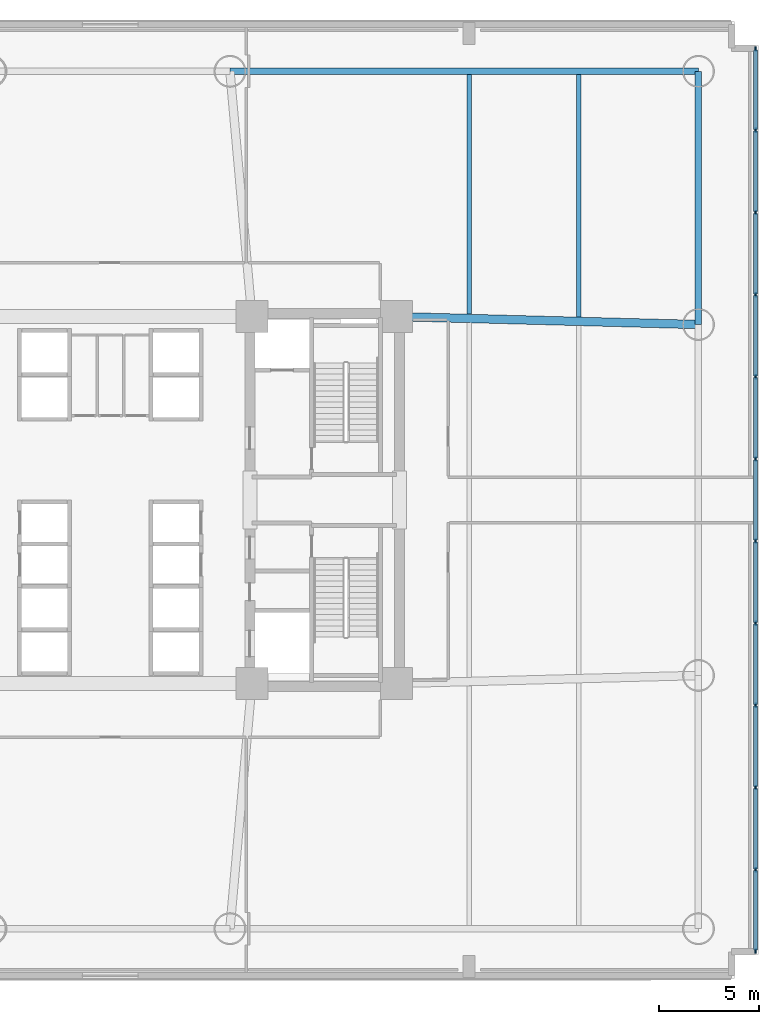
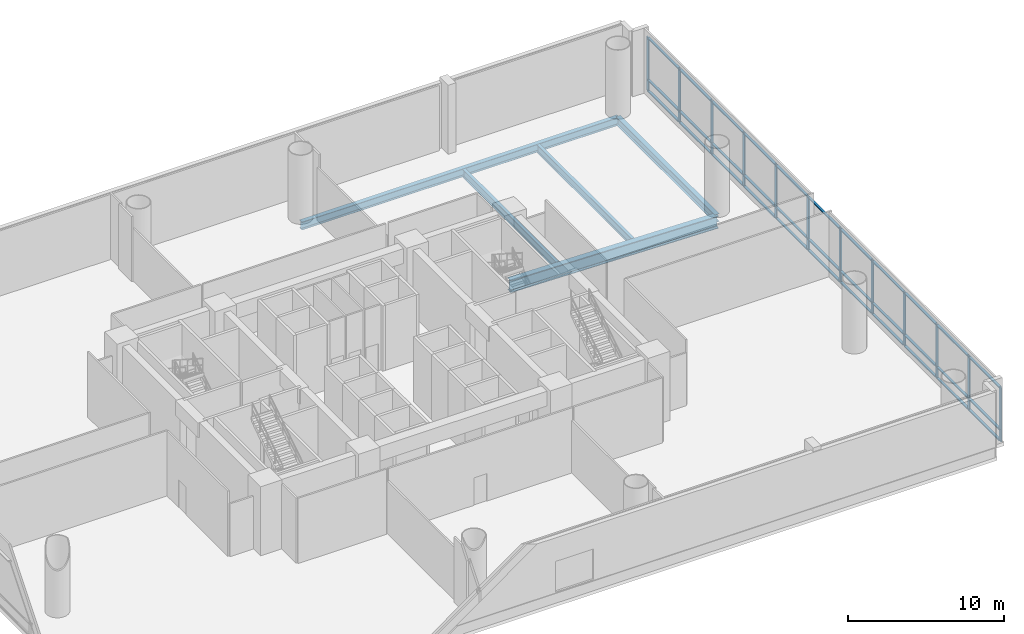
# One storey, part 5 of 15: 45 members, 5 beams, 1 element without a shape of its own.
"""IFC4 building model written with IfcOpenShell, lengths in metres."""

from ifc_helpers import new_model, si_unit, direction, frame, origin, origin_2d, place, context, subcontext, project, spatial, rectangle, i_section, extrude, source, transform, mapped, material, layer, layer_set, material_profile, profile_set, type_object, element, aggregate, save


model = new_model("IFC4")

# Units and contexts
model_context = context("Model", 3, precision=1e-05, world=origin(), true_north=direction((0.0, 1.0)))
body_context = subcontext(model_context, "Body", "Model", "MODEL_VIEW")
ifc_project = project(units=[si_unit("LENGTHUNIT", "METRE"), si_unit("AREAUNIT", "SQUARE_METRE"), si_unit("VOLUMEUNIT", "CUBIC_METRE"), si_unit("PLANEANGLEUNIT", "RADIAN"), si_unit("MASSUNIT", "GRAM", prefix="KILO")], contexts=[model_context])

# Site, building, storey
site_placement = place(None, origin())
site = spatial("IfcSite", under=ifc_project, at=site_placement, CompositionType="ELEMENT")
building_placement = place(site_placement, origin())
building = spatial("IfcBuilding", under=site, at=building_placement, Name="Zahravan Cultural Tower", CompositionType="ELEMENT")
storey_placement = place(building_placement, frame((0.0, 0.0, 7.199951171875)))
storey = spatial("IfcBuildingStorey", under=building, at=storey_placement, Name="L01", CompositionType="ELEMENT", Elevation=7.199951171875)

# Beams
ifc_material_1 = material(Name="Steel ASTM A992 Grade 50", Category="steel")
ifc_material_profile_1 = material_profile(ifc_material_1, i_section(OverallWidth=0.326904296875, OverallDepth=0.6220703125, WebThickness=0.015380859375, FlangeThickness=0.0244140625, FilletRadius=0.014892578125, at=origin_2d()), Name="W24X131")
ifc_profile_set_1 = profile_set([ifc_material_profile_1], Name="Steel ASTM A992 Grade 50")
beam_type_1 = type_object("IfcBeamType", Name="BM-SP-W24X131", PredefinedType="SPANDREL", material=ifc_profile_set_1)
shared_shape_1 = source(origin(), body_context, "Body", "SweptSolid", [
    extrude(i_section(OverallWidth=0.326904296875, OverallDepth=0.6220703125, WebThickness=0.015380859375, FlangeThickness=0.0244140625, FilletRadius=0.014892578125, at=origin_2d()), origin(), (0.0, 0.0, 1.0), 23.5),
])
beam_1_placement = place(storey_placement, frame((42.0, 48.5, -0.61083984375), z_axis=(1.0, 0.0, 0.0), x_axis=(0.0, 1.0, 0.0)))
element("IfcBeam", 1, at=beam_1_placement, inside=storey, type_object=beam_type_1, Name="L01 Beam BG-L01-12", PredefinedType="SPANDREL", context=body_context, shape_type="MappedRepresentation", body=[
    mapped(shared_shape_1, transform((0.0, 0.0, 0.0), x_axis=(1.0, 0.0, 0.0), y_axis=(0.0, 1.0, 0.0), z_axis=(0.0, 0.0, 1.0), scale=1.0)),
])
shared_shape_2 = source(origin(), body_context, "Body", "SweptSolid", [
    extrude(i_section(OverallWidth=0.326904296875, OverallDepth=0.6220703125, WebThickness=0.015380859375, FlangeThickness=0.0244140625, FilletRadius=0.014892578125, at=origin_2d()), origin(), (0.0, 0.0, 1.0), 12.699951171875),
])
beam_2_placement = place(storey_placement, frame((65.5, 35.800048828125, -0.61083984375), z_axis=(0.0, 1.0, 0.0), x_axis=(-1.0, 0.0, 0.0)))
element("IfcBeam", 2, at=beam_2_placement, inside=storey, type_object=beam_type_1, Name="L01 Beam BG-L01-18", PredefinedType="SPANDREL", context=body_context, shape_type="MappedRepresentation", body=[
    mapped(shared_shape_2, transform((0.0, 0.0, 0.0), x_axis=(1.0, 0.0, 0.0), y_axis=(0.0, 1.0, 0.0), z_axis=(0.0, 0.0, 1.0), scale=1.0)),
])
ifc_material_profile_2 = material_profile(ifc_material_1, i_section(OverallWidth=0.425048828125, OverallDepth=0.965087890625, WebThickness=0.0283203125, FlangeThickness=0.051025390625, FilletRadius=0.02392578125, at=origin_2d()), Name="W36X361")
ifc_profile_set_2 = profile_set([ifc_material_profile_2], Name="Steel ASTM A992 Grade 50")
beam_type_2 = type_object("IfcBeamType", Name="BM-G-W36X361", PredefinedType="BEAM", material=ifc_profile_set_2)
shared_shape_3 = source(origin(), body_context, "Body", "SweptSolid", [
    extrude(i_section(OverallWidth=0.425048828125, OverallDepth=0.965087890625, WebThickness=0.0283203125, FlangeThickness=0.051025390625, FilletRadius=0.02392578125, at=origin_2d()), origin(), (0.0, 0.0, 1.0), 15.1552734375),
])
beam_3_placement = place(storey_placement, frame((65.5, 35.800048828125, -0.782470703125), z_axis=(-0.999651797923, 0.026387173188, 0.0), x_axis=(-0.026387173188, -0.999651797923, 0.0)))
element("IfcBeam", 3, at=beam_3_placement, inside=storey, type_object=beam_type_2, Name="L01 Beam BG-L01-22", PredefinedType="BEAM", context=body_context, shape_type="MappedRepresentation", body=[
    mapped(shared_shape_3, transform((0.0, 0.0, 0.0), x_axis=(1.0, 0.0, 0.0), y_axis=(0.0, 1.0, 0.0), z_axis=(0.0, 0.0, 1.0), scale=1.0)),
])
ifc_material_profile_3 = material_profile(ifc_material_1, i_section(OverallWidth=0.22998046875, OverallDepth=0.616943359375, WebThickness=0.01318359375, FlangeThickness=0.022216796875, FilletRadius=0.014892578125, at=origin_2d()), Name="W24X94")
ifc_profile_set_3 = profile_set([ifc_material_profile_3], Name="Steel ASTM A992 Grade 50")
beam_type_3 = type_object("IfcBeamType", Name="BM-J-W24X94", PredefinedType="JOIST", material=ifc_profile_set_3)
shared_shape_4 = source(origin(), body_context, "Body", "SweptSolid", [
    extrude(i_section(OverallWidth=0.22998046875, OverallDepth=0.616943359375, WebThickness=0.01318359375, FlangeThickness=0.022216796875, FilletRadius=0.014892578125, at=origin_2d()), origin(), (0.0, 0.0, 1.0), 12.16357421875),
])
beam_4_placement = place(storey_placement, frame((59.5, 36.17138671875, -0.6083984375), z_axis=(0.0, 1.0, 0.0), x_axis=(-1.0, 0.0, 0.0)))
element("IfcBeam", 4, at=beam_4_placement, inside=storey, type_object=beam_type_3, Name="L01 Beam BJ-L01-38", PredefinedType="JOIST", context=body_context, shape_type="MappedRepresentation", body=[
    mapped(shared_shape_4, transform((0.0, 0.0, 0.0), x_axis=(1.0, 0.0, 0.0), y_axis=(0.0, 1.0, 0.0), z_axis=(0.0, 0.0, 1.0), scale=1.0)),
])
shared_shape_5 = source(origin(), body_context, "Body", "SweptSolid", [
    extrude(i_section(OverallWidth=0.22998046875, OverallDepth=0.616943359375, WebThickness=0.01318359375, FlangeThickness=0.022216796875, FilletRadius=0.014892578125, at=origin_2d()), origin(), (0.0, 0.0, 1.0), 12.018310546875),
])
beam_5_placement = place(storey_placement, frame((54.0, 36.316650390625, -0.6083984375), z_axis=(0.0, 1.0, 0.0), x_axis=(-1.0, 0.0, 0.0)))
element("IfcBeam", 5, at=beam_5_placement, inside=storey, type_object=beam_type_3, Name="L01 Beam BJ-L01-35", PredefinedType="JOIST", context=body_context, shape_type="MappedRepresentation", body=[
    mapped(shared_shape_5, transform((0.0, 0.0, 0.0), x_axis=(1.0, 0.0, 0.0), y_axis=(0.0, 1.0, 0.0), z_axis=(0.0, 0.0, 1.0), scale=1.0)),
])

# Curtain wall, members
ifc_material_2 = material(Name="Anodised bronze-aluminium mullion", Category="aluminium")
ifc_layer = layer(ifc_material_2, 0.239990234375)
ifc_layer_set = layer_set([ifc_layer], Name="Anodised bronze-aluminium mullion")
curtain_wall_type = type_object("IfcCurtainWallType", Name="CW-SYS-5", PredefinedType="USERDEFINED", material=ifc_layer_set)
curtain_wall_placement = place(storey_placement, origin())
curtain_wall = element("IfcCurtainWall", 6, at=curtain_wall_placement, inside=storey, type_object=curtain_wall_type, Name="L01 Recessed Curtain Wall CW-5.1", ObjectType="RECESSED GLAZING", PredefinedType="USERDEFINED")
ifc_material_profile_4 = material_profile(ifc_material_2, rectangle(XDim=0.0849609375, YDim=0.239990234375, at=origin_2d()), Name="AL-M85X240")
ifc_profile_set_4 = profile_set([ifc_material_profile_4], Name="Anodised bronze-aluminium mullion")
member_type_1 = type_object("IfcMemberType", Name="CWM-CW-5", PredefinedType="MULLION", material=ifc_profile_set_4)
shared_shape_6 = source(origin(), body_context, "Body", "SweptSolid", [
    extrude(rectangle(XDim=0.0849609375, YDim=0.239990234375, at=origin_2d()), origin(), (0.0, 0.0, 1.0), 4.219970703125),
])
member_1_placement = place(storey_placement, frame((68.360107421875, 49.617431640625, 0.0), z_axis=(0.0, 0.0, 1.0), x_axis=(1.0, 0.0, 0.0)))
member_1 = element("IfcMember", 7, at=member_1_placement, type_object=member_type_1, Name="CW-5 mullion 1", PredefinedType="MULLION", context=body_context, shape_type="MappedRepresentation", body=[
    mapped(shared_shape_6, transform((0.0, 0.0, 0.0), x_axis=(1.0, 0.0, 0.0), y_axis=(0.0, 1.0, 0.0), z_axis=(0.0, 0.0, 1.0), scale=1.0)),
])
member_2_placement = place(storey_placement, frame((68.360107421875, 45.5400390625, 0.0), z_axis=(0.0, 0.0, 1.0), x_axis=(1.0, 0.0, 0.0)))
member_2 = element("IfcMember", 8, at=member_2_placement, type_object=member_type_1, Name="CW-5 mullion 2", PredefinedType="MULLION", context=body_context, shape_type="MappedRepresentation", body=[
    mapped(shared_shape_6, transform((0.0, 0.0, 0.0), x_axis=(1.0, 0.0, 0.0), y_axis=(0.0, 1.0, 0.0), z_axis=(0.0, 0.0, 1.0), scale=1.0)),
])
member_3_placement = place(storey_placement, frame((68.360107421875, 41.419921875, 0.0), z_axis=(0.0, 0.0, 1.0), x_axis=(1.0, 0.0, 0.0)))
member_3 = element("IfcMember", 9, at=member_3_placement, type_object=member_type_1, Name="CW-5 mullion 3", PredefinedType="MULLION", context=body_context, shape_type="MappedRepresentation", body=[
    mapped(shared_shape_6, transform((0.0, 0.0, 0.0), x_axis=(1.0, 0.0, 0.0), y_axis=(0.0, 1.0, 0.0), z_axis=(0.0, 0.0, 1.0), scale=1.0)),
])
member_4_placement = place(storey_placement, frame((68.360107421875, 37.300048828125, 0.0), z_axis=(0.0, 0.0, 1.0), x_axis=(1.0, 0.0, 0.0)))
member_4 = element("IfcMember", 10, at=member_4_placement, type_object=member_type_1, Name="CW-5 mullion 4", PredefinedType="MULLION", context=body_context, shape_type="MappedRepresentation", body=[
    mapped(shared_shape_6, transform((0.0, 0.0, 0.0), x_axis=(1.0, 0.0, 0.0), y_axis=(0.0, 1.0, 0.0), z_axis=(0.0, 0.0, 1.0), scale=1.0)),
])
member_5_placement = place(storey_placement, frame((68.360107421875, 33.179931640625, 0.0), z_axis=(0.0, 0.0, 1.0), x_axis=(1.0, 0.0, 0.0)))
member_5 = element("IfcMember", 11, at=member_5_placement, type_object=member_type_1, Name="CW-5 mullion 5", PredefinedType="MULLION", context=body_context, shape_type="MappedRepresentation", body=[
    mapped(shared_shape_6, transform((0.0, 0.0, 0.0), x_axis=(1.0, 0.0, 0.0), y_axis=(0.0, 1.0, 0.0), z_axis=(0.0, 0.0, 1.0), scale=1.0)),
])
member_6_placement = place(storey_placement, frame((68.360107421875, 29.06005859375, 0.0), z_axis=(0.0, 0.0, 1.0), x_axis=(1.0, 0.0, 0.0)))
member_6 = element("IfcMember", 12, at=member_6_placement, type_object=member_type_1, Name="CW-5 mullion 6", PredefinedType="MULLION", context=body_context, shape_type="MappedRepresentation", body=[
    mapped(shared_shape_6, transform((0.0, 0.0, 0.0), x_axis=(1.0, 0.0, 0.0), y_axis=(0.0, 1.0, 0.0), z_axis=(0.0, 0.0, 1.0), scale=1.0)),
])
member_7_placement = place(storey_placement, frame((68.360107421875, 24.93994140625, 0.0), z_axis=(0.0, 0.0, 1.0), x_axis=(1.0, 0.0, 0.0)))
member_7 = element("IfcMember", 13, at=member_7_placement, type_object=member_type_1, Name="CW-5 mullion 7", PredefinedType="MULLION", context=body_context, shape_type="MappedRepresentation", body=[
    mapped(shared_shape_6, transform((0.0, 0.0, 0.0), x_axis=(1.0, 0.0, 0.0), y_axis=(0.0, 1.0, 0.0), z_axis=(0.0, 0.0, 1.0), scale=1.0)),
])
member_8_placement = place(storey_placement, frame((68.360107421875, 20.820068359375, 0.0), z_axis=(0.0, 0.0, 1.0), x_axis=(1.0, 0.0, 0.0)))
member_8 = element("IfcMember", 14, at=member_8_placement, type_object=member_type_1, Name="CW-5 mullion 8", PredefinedType="MULLION", context=body_context, shape_type="MappedRepresentation", body=[
    mapped(shared_shape_6, transform((0.0, 0.0, 0.0), x_axis=(1.0, 0.0, 0.0), y_axis=(0.0, 1.0, 0.0), z_axis=(0.0, 0.0, 1.0), scale=1.0)),
])
member_9_placement = place(storey_placement, frame((68.360107421875, 16.699951171875, 0.0), z_axis=(0.0, 0.0, 1.0), x_axis=(1.0, 0.0, 0.0)))
member_9 = element("IfcMember", 15, at=member_9_placement, type_object=member_type_1, Name="CW-5 mullion 9", PredefinedType="MULLION", context=body_context, shape_type="MappedRepresentation", body=[
    mapped(shared_shape_6, transform((0.0, 0.0, 0.0), x_axis=(1.0, 0.0, 0.0), y_axis=(0.0, 1.0, 0.0), z_axis=(0.0, 0.0, 1.0), scale=1.0)),
])
member_10_placement = place(storey_placement, frame((68.360107421875, 12.580078125, 0.0), z_axis=(0.0, 0.0, 1.0), x_axis=(1.0, 0.0, 0.0)))
member_10 = element("IfcMember", 16, at=member_10_placement, type_object=member_type_1, Name="CW-5 mullion 10", PredefinedType="MULLION", context=body_context, shape_type="MappedRepresentation", body=[
    mapped(shared_shape_6, transform((0.0, 0.0, 0.0), x_axis=(1.0, 0.0, 0.0), y_axis=(0.0, 1.0, 0.0), z_axis=(0.0, 0.0, 1.0), scale=1.0)),
])
member_11_placement = place(storey_placement, frame((68.360107421875, 8.4599609375, 0.0), z_axis=(0.0, 0.0, 1.0), x_axis=(1.0, 0.0, 0.0)))
member_11 = element("IfcMember", 17, at=member_11_placement, type_object=member_type_1, Name="CW-5 mullion 11", PredefinedType="MULLION", context=body_context, shape_type="MappedRepresentation", body=[
    mapped(shared_shape_6, transform((0.0, 0.0, 0.0), x_axis=(1.0, 0.0, 0.0), y_axis=(0.0, 1.0, 0.0), z_axis=(0.0, 0.0, 1.0), scale=1.0)),
])
member_12_placement = place(storey_placement, frame((68.360107421875, 4.382568359375, 0.0), z_axis=(0.0, 0.0, 1.0), x_axis=(1.0, 0.0, 0.0)))
member_12 = element("IfcMember", 18, at=member_12_placement, type_object=member_type_1, Name="CW-5 mullion 12", PredefinedType="MULLION", context=body_context, shape_type="MappedRepresentation", body=[
    mapped(shared_shape_6, transform((0.0, 0.0, 0.0), x_axis=(1.0, 0.0, 0.0), y_axis=(0.0, 1.0, 0.0), z_axis=(0.0, 0.0, 1.0), scale=1.0)),
])
ifc_material_profile_5 = material_profile(ifc_material_2, rectangle(XDim=0.179931640625, YDim=0.0849609375, at=origin_2d()), Name="AL-T85X180")
ifc_profile_set_5 = profile_set([ifc_material_profile_5], Name="Anodised bronze-aluminium mullion")
member_type_2 = type_object("IfcMemberType", Name="CWT-CW-5", PredefinedType="USERDEFINED", material=ifc_profile_set_5)
shared_shape_7 = source(origin(), body_context, "Body", "SweptSolid", [
    extrude(rectangle(XDim=0.179931640625, YDim=0.0849609375, at=origin_2d()), origin(), (0.0, 0.0, 1.0), 3.992431640625),
])
member_13_placement = place(storey_placement, frame((68.360107421875, 49.574951171875, 0.04248046875), z_axis=(0.0, -1.0, 0.0), x_axis=(1.0, 0.0, 0.0)))
member_13 = element("IfcMember", 19, at=member_13_placement, type_object=member_type_2, Name="CW-5 transom 1.1", ObjectType="TRANSOM", PredefinedType="USERDEFINED", context=body_context, shape_type="MappedRepresentation", body=[
    mapped(shared_shape_7, transform((0.0, 0.0, 0.0), x_axis=(1.0, 0.0, 0.0), y_axis=(0.0, 1.0, 0.0), z_axis=(0.0, 0.0, 1.0), scale=1.0)),
])
member_14_placement = place(storey_placement, frame((68.360107421875, 49.574951171875, 0.900146484375), z_axis=(0.0, -1.0, 0.0), x_axis=(1.0, 0.0, 0.0)))
member_14 = element("IfcMember", 20, at=member_14_placement, type_object=member_type_2, Name="CW-5 transom 1.2", ObjectType="TRANSOM", PredefinedType="USERDEFINED", context=body_context, shape_type="MappedRepresentation", body=[
    mapped(shared_shape_7, transform((0.0, 0.0, 0.0), x_axis=(1.0, 0.0, 0.0), y_axis=(0.0, 1.0, 0.0), z_axis=(0.0, 0.0, 1.0), scale=1.0)),
])
member_15_placement = place(storey_placement, frame((68.360107421875, 49.574951171875, 4.177490234375), z_axis=(0.0, -1.0, 0.0), x_axis=(1.0, 0.0, 0.0)))
member_15 = element("IfcMember", 21, at=member_15_placement, type_object=member_type_2, Name="CW-5 transom 1.3", ObjectType="TRANSOM", PredefinedType="USERDEFINED", context=body_context, shape_type="MappedRepresentation", body=[
    mapped(shared_shape_7, transform((0.0, 0.0, 0.0), x_axis=(1.0, 0.0, 0.0), y_axis=(0.0, 1.0, 0.0), z_axis=(0.0, 0.0, 1.0), scale=1.0)),
])
member_16_placement = place(storey_placement, frame((68.360107421875, 8.41748046875, 0.04248046875), z_axis=(0.0, -1.0, 0.0), x_axis=(1.0, 0.0, 0.0)))
member_16 = element("IfcMember", 22, at=member_16_placement, type_object=member_type_2, Name="CW-5 transom 11.1", ObjectType="TRANSOM", PredefinedType="USERDEFINED", context=body_context, shape_type="MappedRepresentation", body=[
    mapped(shared_shape_7, transform((0.0, 0.0, 0.0), x_axis=(1.0, 0.0, 0.0), y_axis=(0.0, 1.0, 0.0), z_axis=(0.0, 0.0, 1.0), scale=1.0)),
])
member_17_placement = place(storey_placement, frame((68.360107421875, 8.41748046875, 0.900146484375), z_axis=(0.0, -1.0, 0.0), x_axis=(1.0, 0.0, 0.0)))
member_17 = element("IfcMember", 23, at=member_17_placement, type_object=member_type_2, Name="CW-5 transom 11.2", ObjectType="TRANSOM", PredefinedType="USERDEFINED", context=body_context, shape_type="MappedRepresentation", body=[
    mapped(shared_shape_7, transform((0.0, 0.0, 0.0), x_axis=(1.0, 0.0, 0.0), y_axis=(0.0, 1.0, 0.0), z_axis=(0.0, 0.0, 1.0), scale=1.0)),
])
member_18_placement = place(storey_placement, frame((68.360107421875, 8.41748046875, 4.177490234375), z_axis=(0.0, -1.0, 0.0), x_axis=(1.0, 0.0, 0.0)))
member_18 = element("IfcMember", 24, at=member_18_placement, type_object=member_type_2, Name="CW-5 transom 11.3", ObjectType="TRANSOM", PredefinedType="USERDEFINED", context=body_context, shape_type="MappedRepresentation", body=[
    mapped(shared_shape_7, transform((0.0, 0.0, 0.0), x_axis=(1.0, 0.0, 0.0), y_axis=(0.0, 1.0, 0.0), z_axis=(0.0, 0.0, 1.0), scale=1.0)),
])
shared_shape_8 = source(origin(), body_context, "Body", "SweptSolid", [
    extrude(rectangle(XDim=0.179931640625, YDim=0.0849609375, at=origin_2d()), origin(), (0.0, 0.0, 1.0), 4.03515625),
])
member_19_placement = place(storey_placement, frame((68.360107421875, 45.49755859375, 0.04248046875), z_axis=(0.0, -1.0, 0.0), x_axis=(1.0, 0.0, 0.0)))
member_19 = element("IfcMember", 25, at=member_19_placement, type_object=member_type_2, Name="CW-5 transom 2.1", ObjectType="TRANSOM", PredefinedType="USERDEFINED", context=body_context, shape_type="MappedRepresentation", body=[
    mapped(shared_shape_8, transform((0.0, 0.0, 0.0), x_axis=(1.0, 0.0, 0.0), y_axis=(0.0, 1.0, 0.0), z_axis=(0.0, 0.0, 1.0), scale=1.0)),
])
member_20_placement = place(storey_placement, frame((68.360107421875, 45.49755859375, 0.900146484375), z_axis=(0.0, -1.0, 0.0), x_axis=(1.0, 0.0, 0.0)))
member_20 = element("IfcMember", 26, at=member_20_placement, type_object=member_type_2, Name="CW-5 transom 2.2", ObjectType="TRANSOM", PredefinedType="USERDEFINED", context=body_context, shape_type="MappedRepresentation", body=[
    mapped(shared_shape_8, transform((0.0, 0.0, 0.0), x_axis=(1.0, 0.0, 0.0), y_axis=(0.0, 1.0, 0.0), z_axis=(0.0, 0.0, 1.0), scale=1.0)),
])
member_21_placement = place(storey_placement, frame((68.360107421875, 45.49755859375, 4.177490234375), z_axis=(0.0, -1.0, 0.0), x_axis=(1.0, 0.0, 0.0)))
member_21 = element("IfcMember", 27, at=member_21_placement, type_object=member_type_2, Name="CW-5 transom 2.3", ObjectType="TRANSOM", PredefinedType="USERDEFINED", context=body_context, shape_type="MappedRepresentation", body=[
    mapped(shared_shape_8, transform((0.0, 0.0, 0.0), x_axis=(1.0, 0.0, 0.0), y_axis=(0.0, 1.0, 0.0), z_axis=(0.0, 0.0, 1.0), scale=1.0)),
])
member_22_placement = place(storey_placement, frame((68.360107421875, 37.257568359375, 0.04248046875), z_axis=(0.0, -1.0, 0.0), x_axis=(1.0, 0.0, 0.0)))
member_22 = element("IfcMember", 28, at=member_22_placement, type_object=member_type_2, Name="CW-5 transom 4.1", ObjectType="TRANSOM", PredefinedType="USERDEFINED", context=body_context, shape_type="MappedRepresentation", body=[
    mapped(shared_shape_8, transform((0.0, 0.0, 0.0), x_axis=(1.0, 0.0, 0.0), y_axis=(0.0, 1.0, 0.0), z_axis=(0.0, 0.0, 1.0), scale=1.0)),
])
member_23_placement = place(storey_placement, frame((68.360107421875, 37.257568359375, 0.900146484375), z_axis=(0.0, -1.0, 0.0), x_axis=(1.0, 0.0, 0.0)))
member_23 = element("IfcMember", 29, at=member_23_placement, type_object=member_type_2, Name="CW-5 transom 4.2", ObjectType="TRANSOM", PredefinedType="USERDEFINED", context=body_context, shape_type="MappedRepresentation", body=[
    mapped(shared_shape_8, transform((0.0, 0.0, 0.0), x_axis=(1.0, 0.0, 0.0), y_axis=(0.0, 1.0, 0.0), z_axis=(0.0, 0.0, 1.0), scale=1.0)),
])
member_24_placement = place(storey_placement, frame((68.360107421875, 37.257568359375, 4.177490234375), z_axis=(0.0, -1.0, 0.0), x_axis=(1.0, 0.0, 0.0)))
member_24 = element("IfcMember", 30, at=member_24_placement, type_object=member_type_2, Name="CW-5 transom 4.3", ObjectType="TRANSOM", PredefinedType="USERDEFINED", context=body_context, shape_type="MappedRepresentation", body=[
    mapped(shared_shape_8, transform((0.0, 0.0, 0.0), x_axis=(1.0, 0.0, 0.0), y_axis=(0.0, 1.0, 0.0), z_axis=(0.0, 0.0, 1.0), scale=1.0)),
])
member_25_placement = place(storey_placement, frame((68.360107421875, 29.017578125, 0.04248046875), z_axis=(0.0, -1.0, 0.0), x_axis=(1.0, 0.0, 0.0)))
member_25 = element("IfcMember", 31, at=member_25_placement, type_object=member_type_2, Name="CW-5 transom 6.1", ObjectType="TRANSOM", PredefinedType="USERDEFINED", context=body_context, shape_type="MappedRepresentation", body=[
    mapped(shared_shape_8, transform((0.0, 0.0, 0.0), x_axis=(1.0, 0.0, 0.0), y_axis=(0.0, 1.0, 0.0), z_axis=(0.0, 0.0, 1.0), scale=1.0)),
])
member_26_placement = place(storey_placement, frame((68.360107421875, 29.017578125, 0.900146484375), z_axis=(0.0, -1.0, 0.0), x_axis=(1.0, 0.0, 0.0)))
member_26 = element("IfcMember", 32, at=member_26_placement, type_object=member_type_2, Name="CW-5 transom 6.2", ObjectType="TRANSOM", PredefinedType="USERDEFINED", context=body_context, shape_type="MappedRepresentation", body=[
    mapped(shared_shape_8, transform((0.0, 0.0, 0.0), x_axis=(1.0, 0.0, 0.0), y_axis=(0.0, 1.0, 0.0), z_axis=(0.0, 0.0, 1.0), scale=1.0)),
])
member_27_placement = place(storey_placement, frame((68.360107421875, 29.017578125, 4.177490234375), z_axis=(0.0, -1.0, 0.0), x_axis=(1.0, 0.0, 0.0)))
member_27 = element("IfcMember", 33, at=member_27_placement, type_object=member_type_2, Name="CW-5 transom 6.3", ObjectType="TRANSOM", PredefinedType="USERDEFINED", context=body_context, shape_type="MappedRepresentation", body=[
    mapped(shared_shape_8, transform((0.0, 0.0, 0.0), x_axis=(1.0, 0.0, 0.0), y_axis=(0.0, 1.0, 0.0), z_axis=(0.0, 0.0, 1.0), scale=1.0)),
])
member_28_placement = place(storey_placement, frame((68.360107421875, 20.777587890625, 0.04248046875), z_axis=(0.0, -1.0, 0.0), x_axis=(1.0, 0.0, 0.0)))
member_28 = element("IfcMember", 34, at=member_28_placement, type_object=member_type_2, Name="CW-5 transom 8.1", ObjectType="TRANSOM", PredefinedType="USERDEFINED", context=body_context, shape_type="MappedRepresentation", body=[
    mapped(shared_shape_8, transform((0.0, 0.0, 0.0), x_axis=(1.0, 0.0, 0.0), y_axis=(0.0, 1.0, 0.0), z_axis=(0.0, 0.0, 1.0), scale=1.0)),
])
member_29_placement = place(storey_placement, frame((68.360107421875, 20.777587890625, 0.900146484375), z_axis=(0.0, -1.0, 0.0), x_axis=(1.0, 0.0, 0.0)))
member_29 = element("IfcMember", 35, at=member_29_placement, type_object=member_type_2, Name="CW-5 transom 8.2", ObjectType="TRANSOM", PredefinedType="USERDEFINED", context=body_context, shape_type="MappedRepresentation", body=[
    mapped(shared_shape_8, transform((0.0, 0.0, 0.0), x_axis=(1.0, 0.0, 0.0), y_axis=(0.0, 1.0, 0.0), z_axis=(0.0, 0.0, 1.0), scale=1.0)),
])
member_30_placement = place(storey_placement, frame((68.360107421875, 20.777587890625, 4.177490234375), z_axis=(0.0, -1.0, 0.0), x_axis=(1.0, 0.0, 0.0)))
member_30 = element("IfcMember", 36, at=member_30_placement, type_object=member_type_2, Name="CW-5 transom 8.3", ObjectType="TRANSOM", PredefinedType="USERDEFINED", context=body_context, shape_type="MappedRepresentation", body=[
    mapped(shared_shape_8, transform((0.0, 0.0, 0.0), x_axis=(1.0, 0.0, 0.0), y_axis=(0.0, 1.0, 0.0), z_axis=(0.0, 0.0, 1.0), scale=1.0)),
])
member_31_placement = place(storey_placement, frame((68.360107421875, 12.53759765625, 0.04248046875), z_axis=(0.0, -1.0, 0.0), x_axis=(1.0, 0.0, 0.0)))
member_31 = element("IfcMember", 37, at=member_31_placement, type_object=member_type_2, Name="CW-5 transom 10.1", ObjectType="TRANSOM", PredefinedType="USERDEFINED", context=body_context, shape_type="MappedRepresentation", body=[
    mapped(shared_shape_8, transform((0.0, 0.0, 0.0), x_axis=(1.0, 0.0, 0.0), y_axis=(0.0, 1.0, 0.0), z_axis=(0.0, 0.0, 1.0), scale=1.0)),
])
member_32_placement = place(storey_placement, frame((68.360107421875, 12.53759765625, 0.900146484375), z_axis=(0.0, -1.0, 0.0), x_axis=(1.0, 0.0, 0.0)))
member_32 = element("IfcMember", 38, at=member_32_placement, type_object=member_type_2, Name="CW-5 transom 10.2", ObjectType="TRANSOM", PredefinedType="USERDEFINED", context=body_context, shape_type="MappedRepresentation", body=[
    mapped(shared_shape_8, transform((0.0, 0.0, 0.0), x_axis=(1.0, 0.0, 0.0), y_axis=(0.0, 1.0, 0.0), z_axis=(0.0, 0.0, 1.0), scale=1.0)),
])
member_33_placement = place(storey_placement, frame((68.360107421875, 12.53759765625, 4.177490234375), z_axis=(0.0, -1.0, 0.0), x_axis=(1.0, 0.0, 0.0)))
member_33 = element("IfcMember", 39, at=member_33_placement, type_object=member_type_2, Name="CW-5 transom 10.3", ObjectType="TRANSOM", PredefinedType="USERDEFINED", context=body_context, shape_type="MappedRepresentation", body=[
    mapped(shared_shape_8, transform((0.0, 0.0, 0.0), x_axis=(1.0, 0.0, 0.0), y_axis=(0.0, 1.0, 0.0), z_axis=(0.0, 0.0, 1.0), scale=1.0)),
])
shared_shape_9 = source(origin(), body_context, "Body", "SweptSolid", [
    extrude(rectangle(XDim=0.179931640625, YDim=0.0849609375, at=origin_2d()), origin(), (0.0, 0.0, 1.0), 4.034912109375),
])
member_34_placement = place(storey_placement, frame((68.360107421875, 41.37744140625, 0.04248046875), z_axis=(0.0, -1.0, 0.0), x_axis=(1.0, 0.0, 0.0)))
member_34 = element("IfcMember", 40, at=member_34_placement, type_object=member_type_2, Name="CW-5 transom 3.1", ObjectType="TRANSOM", PredefinedType="USERDEFINED", context=body_context, shape_type="MappedRepresentation", body=[
    mapped(shared_shape_9, transform((0.0, 0.0, 0.0), x_axis=(1.0, 0.0, 0.0), y_axis=(0.0, 1.0, 0.0), z_axis=(0.0, 0.0, 1.0), scale=1.0)),
])
member_35_placement = place(storey_placement, frame((68.360107421875, 41.37744140625, 0.900146484375), z_axis=(0.0, -1.0, 0.0), x_axis=(1.0, 0.0, 0.0)))
member_35 = element("IfcMember", 41, at=member_35_placement, type_object=member_type_2, Name="CW-5 transom 3.2", ObjectType="TRANSOM", PredefinedType="USERDEFINED", context=body_context, shape_type="MappedRepresentation", body=[
    mapped(shared_shape_9, transform((0.0, 0.0, 0.0), x_axis=(1.0, 0.0, 0.0), y_axis=(0.0, 1.0, 0.0), z_axis=(0.0, 0.0, 1.0), scale=1.0)),
])
member_36_placement = place(storey_placement, frame((68.360107421875, 41.37744140625, 4.177490234375), z_axis=(0.0, -1.0, 0.0), x_axis=(1.0, 0.0, 0.0)))
member_36 = element("IfcMember", 42, at=member_36_placement, type_object=member_type_2, Name="CW-5 transom 3.3", ObjectType="TRANSOM", PredefinedType="USERDEFINED", context=body_context, shape_type="MappedRepresentation", body=[
    mapped(shared_shape_9, transform((0.0, 0.0, 0.0), x_axis=(1.0, 0.0, 0.0), y_axis=(0.0, 1.0, 0.0), z_axis=(0.0, 0.0, 1.0), scale=1.0)),
])
member_37_placement = place(storey_placement, frame((68.360107421875, 33.137451171875, 0.04248046875), z_axis=(0.0, -1.0, 0.0), x_axis=(1.0, 0.0, 0.0)))
member_37 = element("IfcMember", 43, at=member_37_placement, type_object=member_type_2, Name="CW-5 transom 5.1", ObjectType="TRANSOM", PredefinedType="USERDEFINED", context=body_context, shape_type="MappedRepresentation", body=[
    mapped(shared_shape_9, transform((0.0, 0.0, 0.0), x_axis=(1.0, 0.0, 0.0), y_axis=(0.0, 1.0, 0.0), z_axis=(0.0, 0.0, 1.0), scale=1.0)),
])
member_38_placement = place(storey_placement, frame((68.360107421875, 33.137451171875, 0.900146484375), z_axis=(0.0, -1.0, 0.0), x_axis=(1.0, 0.0, 0.0)))
member_38 = element("IfcMember", 44, at=member_38_placement, type_object=member_type_2, Name="CW-5 transom 5.2", ObjectType="TRANSOM", PredefinedType="USERDEFINED", context=body_context, shape_type="MappedRepresentation", body=[
    mapped(shared_shape_9, transform((0.0, 0.0, 0.0), x_axis=(1.0, 0.0, 0.0), y_axis=(0.0, 1.0, 0.0), z_axis=(0.0, 0.0, 1.0), scale=1.0)),
])
member_39_placement = place(storey_placement, frame((68.360107421875, 33.137451171875, 4.177490234375), z_axis=(0.0, -1.0, 0.0), x_axis=(1.0, 0.0, 0.0)))
member_39 = element("IfcMember", 45, at=member_39_placement, type_object=member_type_2, Name="CW-5 transom 5.3", ObjectType="TRANSOM", PredefinedType="USERDEFINED", context=body_context, shape_type="MappedRepresentation", body=[
    mapped(shared_shape_9, transform((0.0, 0.0, 0.0), x_axis=(1.0, 0.0, 0.0), y_axis=(0.0, 1.0, 0.0), z_axis=(0.0, 0.0, 1.0), scale=1.0)),
])
member_40_placement = place(storey_placement, frame((68.360107421875, 24.8974609375, 0.04248046875), z_axis=(0.0, -1.0, 0.0), x_axis=(1.0, 0.0, 0.0)))
member_40 = element("IfcMember", 46, at=member_40_placement, type_object=member_type_2, Name="CW-5 transom 7.1", ObjectType="TRANSOM", PredefinedType="USERDEFINED", context=body_context, shape_type="MappedRepresentation", body=[
    mapped(shared_shape_9, transform((0.0, 0.0, 0.0), x_axis=(1.0, 0.0, 0.0), y_axis=(0.0, 1.0, 0.0), z_axis=(0.0, 0.0, 1.0), scale=1.0)),
])
member_41_placement = place(storey_placement, frame((68.360107421875, 24.8974609375, 0.900146484375), z_axis=(0.0, -1.0, 0.0), x_axis=(1.0, 0.0, 0.0)))
member_41 = element("IfcMember", 47, at=member_41_placement, type_object=member_type_2, Name="CW-5 transom 7.2", ObjectType="TRANSOM", PredefinedType="USERDEFINED", context=body_context, shape_type="MappedRepresentation", body=[
    mapped(shared_shape_9, transform((0.0, 0.0, 0.0), x_axis=(1.0, 0.0, 0.0), y_axis=(0.0, 1.0, 0.0), z_axis=(0.0, 0.0, 1.0), scale=1.0)),
])
member_42_placement = place(storey_placement, frame((68.360107421875, 24.8974609375, 4.177490234375), z_axis=(0.0, -1.0, 0.0), x_axis=(1.0, 0.0, 0.0)))
member_42 = element("IfcMember", 48, at=member_42_placement, type_object=member_type_2, Name="CW-5 transom 7.3", ObjectType="TRANSOM", PredefinedType="USERDEFINED", context=body_context, shape_type="MappedRepresentation", body=[
    mapped(shared_shape_9, transform((0.0, 0.0, 0.0), x_axis=(1.0, 0.0, 0.0), y_axis=(0.0, 1.0, 0.0), z_axis=(0.0, 0.0, 1.0), scale=1.0)),
])
member_43_placement = place(storey_placement, frame((68.360107421875, 16.657470703125, 0.04248046875), z_axis=(0.0, -1.0, 0.0), x_axis=(1.0, 0.0, 0.0)))
member_43 = element("IfcMember", 49, at=member_43_placement, type_object=member_type_2, Name="CW-5 transom 9.1", ObjectType="TRANSOM", PredefinedType="USERDEFINED", context=body_context, shape_type="MappedRepresentation", body=[
    mapped(shared_shape_9, transform((0.0, 0.0, 0.0), x_axis=(1.0, 0.0, 0.0), y_axis=(0.0, 1.0, 0.0), z_axis=(0.0, 0.0, 1.0), scale=1.0)),
])
member_44_placement = place(storey_placement, frame((68.360107421875, 16.657470703125, 0.900146484375), z_axis=(0.0, -1.0, 0.0), x_axis=(1.0, 0.0, 0.0)))
member_44 = element("IfcMember", 50, at=member_44_placement, type_object=member_type_2, Name="CW-5 transom 9.2", ObjectType="TRANSOM", PredefinedType="USERDEFINED", context=body_context, shape_type="MappedRepresentation", body=[
    mapped(shared_shape_9, transform((0.0, 0.0, 0.0), x_axis=(1.0, 0.0, 0.0), y_axis=(0.0, 1.0, 0.0), z_axis=(0.0, 0.0, 1.0), scale=1.0)),
])
member_45_placement = place(storey_placement, frame((68.360107421875, 16.657470703125, 4.177490234375), z_axis=(0.0, -1.0, 0.0), x_axis=(1.0, 0.0, 0.0)))
member_45 = element("IfcMember", 51, at=member_45_placement, type_object=member_type_2, Name="CW-5 transom 9.3", ObjectType="TRANSOM", PredefinedType="USERDEFINED", context=body_context, shape_type="MappedRepresentation", body=[
    mapped(shared_shape_9, transform((0.0, 0.0, 0.0), x_axis=(1.0, 0.0, 0.0), y_axis=(0.0, 1.0, 0.0), z_axis=(0.0, 0.0, 1.0), scale=1.0)),
])
aggregate(curtain_wall, [member_1, member_2, member_3, member_4, member_5, member_6, member_7, member_8, member_9, member_10, member_11, member_12, member_13, member_14, member_15, member_19, member_20, member_21, member_34, member_35, member_36, member_22, member_23, member_24, member_37, member_38, member_39, member_25, member_26, member_27, member_40, member_41, member_42, member_28, member_29, member_30, member_43, member_44, member_45, member_31, member_32, member_33, member_16, member_17, member_18])

save(model, "model.ifc")
